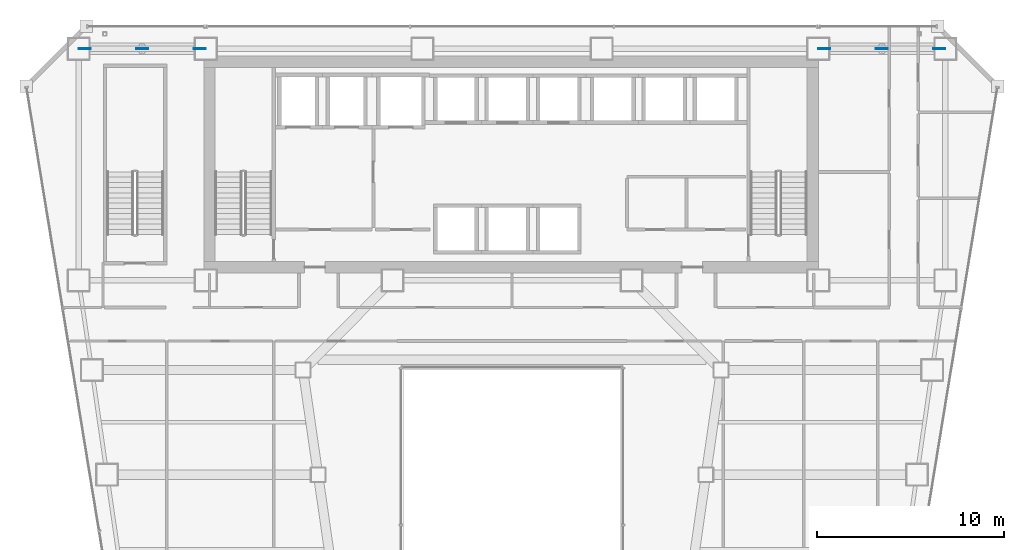
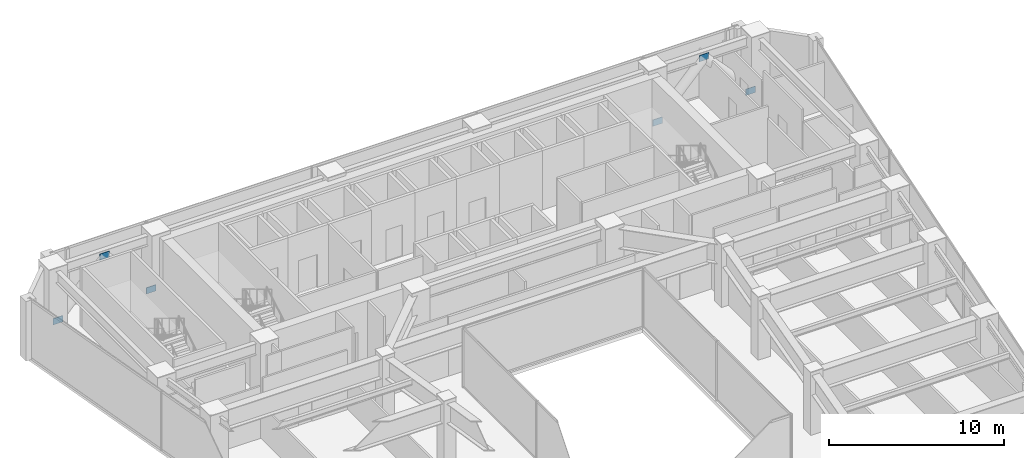
# One storey, part 34 of 40: 6 plates.
"""IFC4 building model written with IfcOpenShell, lengths in metres."""

import ifcopenshell
import ifcopenshell.guid

model = None  # the IFC model being written
_history = None  # IfcOwnerHistory: only IFC2X3 demands one
_inside = {}  # id of a spatial element -> (the spatial element, [elements in it])
_under = {}  # id of a project, library or spatial element -> (it, [spatial elements below it])
_declared = {}  # id of a project -> (the project, [libraries it declares])
_typed = {}  # id of a type object -> (the type object, [elements of that type])
_made_of = {}  # id of a material, layer set ... -> (it, [elements and type objects made of it])


def new_model(schema):
    """Start an empty IFC model of exactly this schema.

    Asked for "IFC4X3", IfcOpenShell would pick the latest addendum, in which some entities
    have other attributes; the version numbers below select the first issue.
    IFC2X3 requires an IfcOwnerHistory on every rooted entity: one is made here for all.
    """
    global model, _history
    if schema == "IFC4X3":
        model = ifcopenshell.file(schema_version=(4, 3, 0, 0))
    else:
        model = ifcopenshell.file(schema=schema)
    _inside.clear()
    _under.clear()
    _declared.clear()
    _typed.clear()
    _made_of.clear()
    _history = None
    if model.schema == "IFC2X3":
        org = make("IfcOrganization", Name="unknown")
        user = make(
            "IfcPersonAndOrganization",
            ThePerson=make("IfcPerson", FamilyName="unknown"),
            TheOrganization=org,
        )
        app = make(
            "IfcApplication",
            ApplicationDeveloper=org,
            Version="unknown",
            ApplicationFullName="unknown",
            ApplicationIdentifier="unknown",
        )
        _history = make(
            "IfcOwnerHistory",
            OwningUser=user,
            OwningApplication=app,
            ChangeAction="ADDED",
            CreationDate=0,
        )
    return model


def make(cls, **values):
    """One entity of the class cls with the attributes given. An attribute that is None is left unset."""
    return model.create_entity(
        cls, **{name: value for name, value in values.items() if value is not None}
    )


def rooted(cls, **values):
    """An entity with a GlobalId (a new one), such as an element, a storey or a relation."""
    return make(cls, GlobalId=ifcopenshell.guid.new(), OwnerHistory=_history, **values)


def si_unit(unit_type, name, prefix=None):
    """IfcSIUnit, for example si_unit("LENGTHUNIT", "METRE", prefix="MILLI")."""
    return make("IfcSIUnit", UnitType=unit_type, Prefix=prefix, Name=name)


def assignment(units):
    """IfcUnitAssignment: the units of a project."""
    return None if units is None else make("IfcUnitAssignment", Units=units)


def point(xyz):
    """IfcCartesianPoint."""
    return None if xyz is None else make("IfcCartesianPoint", Coordinates=xyz)


def direction(xyz):
    """IfcDirection."""
    return None if xyz is None else make("IfcDirection", DirectionRatios=xyz)


def frame(location, z_axis=None, x_axis=None):
    """IfcAxis2Placement3D, a coordinate frame: its origin and axes. An axis left out is left unset."""
    return make(
        "IfcAxis2Placement3D",
        Location=point(location),
        Axis=direction(z_axis),
        RefDirection=direction(x_axis),
    )


def frame_2d(location, x_axis=None):
    """IfcAxis2Placement2D, a coordinate frame in the plane: its origin and x axis."""
    return make(
        "IfcAxis2Placement2D", Location=point(location), RefDirection=direction(x_axis)
    )


def origin():
    """The frame at (0, 0, 0) with its axes left unset."""
    return frame((0.0, 0.0, 0.0))


def origin_2d():
    """The frame at (0, 0) in the plane with its x axis left unset."""
    return frame_2d((0.0, 0.0))


def place(relative_to, where):
    """IfcLocalPlacement: puts the frame where relative to a parent placement (None: the world)."""
    return make(
        "IfcLocalPlacement", PlacementRelTo=relative_to, RelativePlacement=where
    )


def context(
    kind, dimensions, precision=None, world=None, true_north=None, identifier=None
):
    """IfcGeometricRepresentationContext, for example the 3D "Model" context."""
    return make(
        "IfcGeometricRepresentationContext",
        ContextIdentifier=identifier,
        ContextType=kind,
        CoordinateSpaceDimension=dimensions,
        Precision=precision,
        WorldCoordinateSystem=world,
        TrueNorth=true_north,
    )


def subcontext(parent, identifier, kind, view, scale=None):
    """IfcGeometricRepresentationSubContext, for example "Body" below "Model"."""
    return make(
        "IfcGeometricRepresentationSubContext",
        ContextIdentifier=identifier,
        ContextType=kind,
        ParentContext=parent,
        TargetScale=scale,
        TargetView=view,
    )


def project(units=None, contexts=None):
    """IfcProject with its units and contexts."""
    return rooted(
        "IfcProject",
        Name="project",
        RepresentationContexts=contexts,
        UnitsInContext=assignment(units),
    )


def spatial(cls, under=None, at=None, **own):
    """A site, building, storey or space (cls), placed at a placement, below another one or the project."""
    s = rooted(cls, ObjectPlacement=at, **own)
    if under is not None:
        _under.setdefault(under.id(), (under, []))[1].append(s)
    return s


def profile(cls, at=None, kind="AREA", **sizes):
    """A parametric profile (cls). Its sizes go by their IFC names, for example OverallWidth=200.0."""
    return make(cls, ProfileType=kind, Position=at, **sizes)


def rectangle(**sizes):
    """IfcRectangleProfileDef."""
    return profile("IfcRectangleProfileDef", **sizes)


def extrude(swept, where, along, depth):
    """IfcExtrudedAreaSolid: the profile swept, set in the frame where, extruded along a direction by depth."""
    return make(
        "IfcExtrudedAreaSolid",
        SweptArea=swept,
        Position=where,
        ExtrudedDirection=direction(along),
        Depth=depth,
    )


def shape(context_of_items, identifier, shape_type, items):
    """IfcShapeRepresentation: the items that make up one representation, for example the "Body"."""
    return make(
        "IfcShapeRepresentation",
        ContextOfItems=context_of_items,
        RepresentationIdentifier=identifier,
        RepresentationType=shape_type,
        Items=items,
    )


def material(Name=None, Category=None):
    """IfcMaterial."""
    return make("IfcMaterial", Name=Name, Category=Category)


def layer(
    of_material, thickness, ventilated=None, Name=None, Category=None, Priority=None
):
    """IfcMaterialLayer: one layer of a wall or slab, of a material (None: an air gap)."""
    return make(
        "IfcMaterialLayer",
        Material=of_material,
        LayerThickness=thickness,
        IsVentilated=ventilated,
        Name=Name,
        Category=Category,
        Priority=Priority,
    )


def layer_set(layers, Name=None):
    """IfcMaterialLayerSet."""
    return make("IfcMaterialLayerSet", MaterialLayers=layers, LayerSetName=Name)


def made_of(thing, what):
    """Note that an element or type object is made of a material, layer set ...; save() writes the relation."""
    if what is not None:
        _made_of.setdefault(what.id(), (what, []))[1].append(thing)
    return thing


def type_object(cls, material=None, **own):
    """A type object (cls), such as IfcWallType, which elements share."""
    return made_of(rooted(cls, **own), material)


def element(
    cls,
    number,
    at=None,
    inside=None,
    cuts=None,
    type_object=None,
    material=None,
    context=None,
    identifier="Body",
    shape_type=None,
    held_by="IfcProductDefinitionShape",
    body=None,
    shapes=None,
    **own,
):
    """One element of the class cls, such as IfcWall. Its Tag is "e" and its number.

    at: its placement. inside: the storey or other place that contains it. cuts: it is an
    opening in that element (IfcRelVoidsElement). A single representation is given by context,
    identifier, shape_type and body (its items); several are given by shapes. held_by: the class
    of the entity that holds the representations. save() writes the other relations.
    """
    e = rooted(cls, Tag="e%d" % number, ObjectPlacement=at, **own)
    if body is not None:
        shapes = [shape(context, identifier, shape_type, body)]
    if shapes is not None:
        e.Representation = make(held_by, Representations=shapes)
    if inside is not None:
        _inside.setdefault(inside.id(), (inside, []))[1].append(e)
    if cuts is not None:
        rooted(
            "IfcRelVoidsElement", RelatingBuildingElement=cuts, RelatedOpeningElement=e
        )
    if type_object is not None:
        _typed.setdefault(type_object.id(), (type_object, []))[1].append(e)
    return made_of(e, material)


def aggregate(whole, parts):
    """IfcRelAggregates: a whole, such as a stair, and the parts it consists of."""
    return rooted("IfcRelAggregates", RelatingObject=whole, RelatedObjects=parts)


def save(model, path):
    """Write the relations noted so far, then the file.

    IfcRelAggregates (storeys below a building ...), IfcRelContainedInSpatialStructure (elements
    in a storey), IfcRelDefinesByType, IfcRelAssociatesMaterial and IfcRelDeclares: one each for
    every whole, place, type object, material and project.
    """
    for whole, parts in _under.values():
        aggregate(whole, parts)
    for where, things in _inside.values():
        rooted(
            "IfcRelContainedInSpatialStructure",
            RelatedElements=things,
            RelatingStructure=where,
        )
    for kind, things in _typed.values():
        rooted("IfcRelDefinesByType", RelatedObjects=things, RelatingType=kind)
    for what, things in _made_of.values():
        rooted("IfcRelAssociatesMaterial", RelatedObjects=things, RelatingMaterial=what)
    for by, libraries in _declared.values():
        rooted("IfcRelDeclares", RelatingContext=by, RelatedDefinitions=libraries)
    model.write(path)


model = new_model("IFC4")

# Units and contexts
model_context = context("Model", 3, precision=1e-05, world=origin(), true_north=direction((0.0, 1.0)))
body_context = subcontext(model_context, "Body", "Model", "MODEL_VIEW")
ifc_project = project(units=[si_unit("LENGTHUNIT", "METRE"), si_unit("AREAUNIT", "SQUARE_METRE"), si_unit("VOLUMEUNIT", "CUBIC_METRE"), si_unit("PLANEANGLEUNIT", "RADIAN"), si_unit("MASSUNIT", "GRAM", prefix="KILO")], contexts=[model_context])

# Site, building, storey
site_placement = place(None, origin())
site = spatial("IfcSite", under=ifc_project, at=site_placement, CompositionType="ELEMENT")
building_placement = place(site_placement, origin())
building = spatial("IfcBuilding", under=site, at=building_placement, Name="Saevonmaru Cultural Tower", CompositionType="ELEMENT")
storey_placement = place(building_placement, frame((0.0, 0.0, 97.199951171875)))
storey = spatial("IfcBuildingStorey", under=building, at=storey_placement, Name="L20", CompositionType="ELEMENT", Elevation=97.199951171875)

# Plates
ifc_material = material(Name="Steel HSA600 (600 MPa)", Category="steel")
ifc_layer = layer(ifc_material, 0.0400390625, Name="Steel HSA600 (600 MPa)")
ifc_layer_set = layer_set([ifc_layer], Name="Steel HSA600 (600 MPa)")
plate_type = type_object("IfcPlateType", Name="PL-GUSSET-EXT", PredefinedType="USERDEFINED", material=ifc_layer_set)
for number, where, z_axis, x_axis, name in (
    (1, (10.199951171875, 54.800048828125, 3.4501953125), (0.0, 0.0, 1.0), (1.0, 0.0, 0.0), "L20 Perimeter Tube Gusset Plate"),
    (2, (7.1201171875, 54.800048828125, 0.02001953125), (0.0, 0.0, 1.0), (1.0, 0.0, 0.0), "L20 Perimeter Tube Gusset Plate"),
    (3, (13.280029296875, 54.800048828125, 0.02001953125), (0.0, 0.0, 1.0), (1.0, 0.0, 0.0), "L20 Perimeter Tube Gusset Plate"),
    (4, (49.800048828125, 54.800048828125, 3.4501953125), (0.0, 0.0, 1.0), (1.0, 0.0, 0.0), "L20 Perimeter Tube Gusset Plate"),
    (5, (46.719970703125, 54.800048828125, 0.02001953125), (0.0, 0.0, 1.0), (1.0, 0.0, 0.0), "L20 Perimeter Tube Gusset Plate"),
    (6, (52.8798828125, 54.800048828125, 0.02001953125), (0.0, 0.0, 1.0), (1.0, 0.0, 0.0), "L20 Perimeter Tube Gusset Plate"),
):
    element("IfcPlate", number, at=place(storey_placement, frame(where, z_axis=z_axis, x_axis=x_axis)), inside=storey, type_object=plate_type, Name=name, ObjectType="GUSSET_PLATE", PredefinedType="USERDEFINED", context=body_context, shape_type="SweptSolid", body=[
        extrude(rectangle(XDim=0.639892578125, YDim=0.0400390625, at=origin_2d()), origin(), (0.0, 0.0, 1.0), 0.43994140625),
    ])

save(model, "model.ifc")
